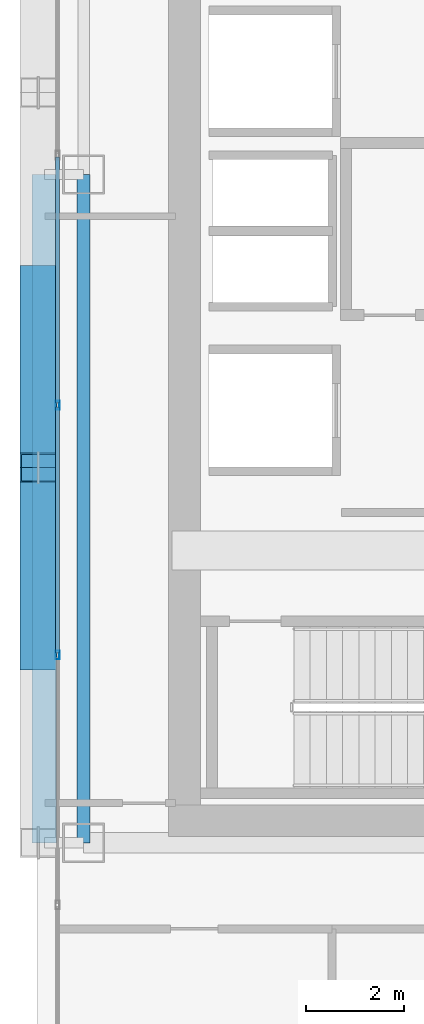
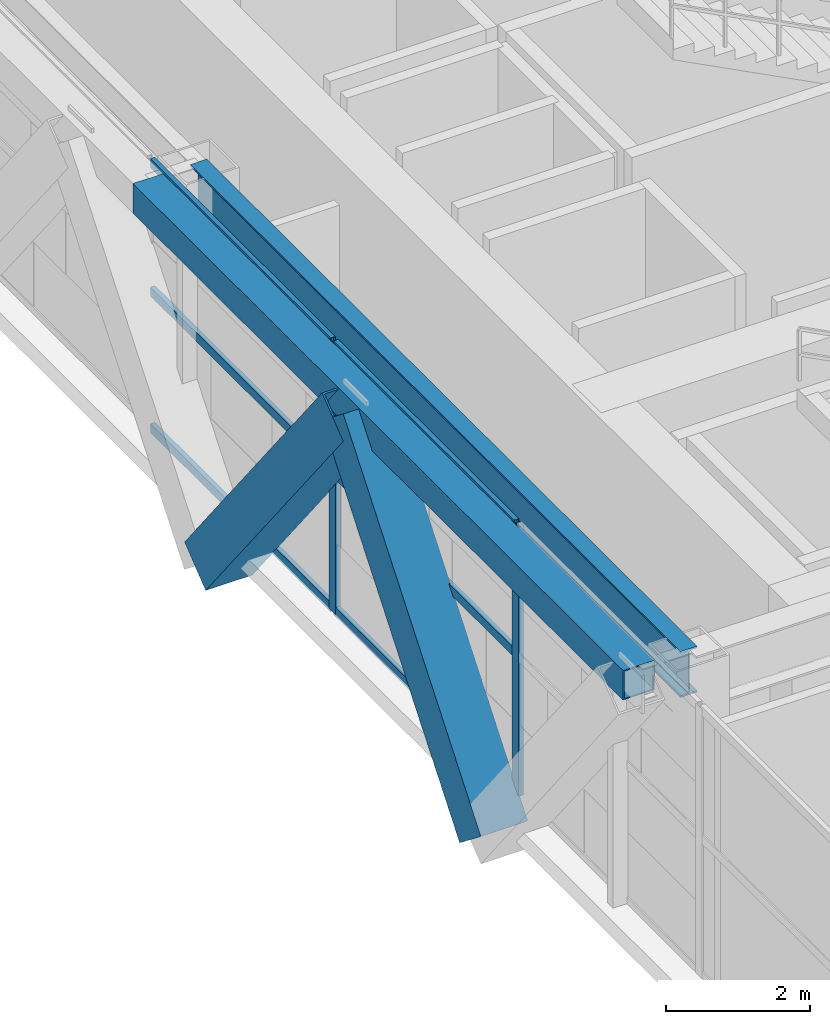
# One storey, part 7 of 38: 10 members, 2 beams, 1 element without a shape of its own.
"""IFC4 building model written with IfcOpenShell, lengths in metres."""

from ifc_helpers import new_model, si_unit, direction, frame, origin, origin_2d, place, context, subcontext, project, spatial, hollow_rectangle, i_section, extrude, source, transform, mapped, material, layer, layer_set, material_profile, profile_set, type_object, element, aggregate, save


model = new_model("IFC4")

# Units and contexts
model_context = context("Model", 3, precision=1e-05, world=origin(), true_north=direction((0.0, 1.0)))
body_context = subcontext(model_context, "Body", "Model", "MODEL_VIEW")
ifc_project = project(units=[si_unit("LENGTHUNIT", "METRE"), si_unit("AREAUNIT", "SQUARE_METRE"), si_unit("VOLUMEUNIT", "CUBIC_METRE"), si_unit("PLANEANGLEUNIT", "RADIAN"), si_unit("MASSUNIT", "GRAM", prefix="KILO")], contexts=[model_context])

# Site, building, storey
site_placement = place(None, origin())
site = spatial("IfcSite", under=ifc_project, at=site_placement, CompositionType="ELEMENT")
building_placement = place(site_placement, origin())
building = spatial("IfcBuilding", under=site, at=building_placement, Name="Ocotamira Hotel", CompositionType="ELEMENT")
storey_placement = place(building_placement, frame((0.0, 0.0, 92.39990234375)))
storey = spatial("IfcBuildingStorey", under=building, at=storey_placement, Name="L22", CompositionType="ELEMENT", Elevation=92.39990234375)

# Beams
ifc_material_1 = material(Name="Steel ASTM A992 Grade 50", Category="steel")
ifc_material_profile_1 = material_profile(ifc_material_1, i_section(OverallWidth=0.26611328125, OverallDepth=0.779052734375, WebThickness=0.0166015625, FlangeThickness=0.030029296875, FilletRadius=0.01806640625, at=origin_2d()), Name="W30X148")
ifc_profile_set_1 = profile_set([ifc_material_profile_1], Name="Steel ASTM A992 Grade 50")
beam_type_1 = type_object("IfcBeamType", Name="BM-GIRD-W30X148", PredefinedType="BEAM", material=ifc_profile_set_1)
shared_shape_1 = source(origin(), body_context, "Body", "SweptSolid", [
    extrude(i_section(OverallWidth=0.26611328125, OverallDepth=0.779052734375, WebThickness=0.0166015625, FlangeThickness=0.030029296875, FilletRadius=0.01806640625, at=origin_2d()), origin(), (0.0, 0.0, 1.0), 13.599853515625),
])
beam_1_placement = place(storey_placement, frame((8.949951171875, 14.550048828125, 4.170654296875), z_axis=(0.0, 1.0, 0.0), x_axis=(-1.0, 0.0, 0.0)))
element("IfcBeam", 1, at=beam_1_placement, inside=storey, type_object=beam_type_1, Name="L22 Beam X8.95 Y14.55-28.15", PredefinedType="BEAM", context=body_context, shape_type="MappedRepresentation", body=[
    mapped(shared_shape_1, transform((0.0, 0.0, 0.0), scale=1.0)),
])
ifc_material_2 = material(Name="Steel ASTM A500 Grade C", Category="steel")
ifc_material_profile_2 = material_profile(ifc_material_2, hollow_rectangle(XDim=0.5, YDim=0.5, WallThickness=0.02001953125, at=origin_2d()), Name="HSS500X500X20")
ifc_profile_set_2 = profile_set([ifc_material_profile_2], Name="Steel ASTM A500 Grade C")
beam_type_2 = type_object("IfcBeamType", Name="BM-SPAN-HSS500", PredefinedType="USERDEFINED", material=ifc_profile_set_2)
shared_shape_2 = source(origin(), body_context, "Body", "SweptSolid", [
    extrude(hollow_rectangle(XDim=0.5, YDim=0.5, WallThickness=0.02001953125, at=origin_2d()), origin(), (0.0, 0.0, 1.0), 13.599853515625),
])
beam_2_placement = place(storey_placement, frame((8.14990234375, 14.550048828125, 4.31005859375), z_axis=(0.0, 1.0, 0.0), x_axis=(-1.0, 0.0, 0.0)))
element("IfcBeam", 2, at=beam_2_placement, inside=storey, type_object=beam_type_2, Name="L22 Edge Spandrel W Y14.55-28.15", ObjectType="SPANDREL", PredefinedType="USERDEFINED", context=body_context, shape_type="MappedRepresentation", body=[
    mapped(shared_shape_2, transform((0.0, 0.0, 0.0), scale=1.0)),
])

# Members
ifc_material_3 = material(Name="Pale-metal coated steel ASTM A913 Grade 65", Category="steel")
ifc_material_profile_3 = material_profile(ifc_material_3, hollow_rectangle(XDim=0.75, YDim=0.75, WallThickness=0.028076171875, at=origin_2d()), Name="BOX750X750X28")
ifc_profile_set_3 = profile_set([ifc_material_profile_3], Name="Pale-metal coated steel ASTM A913 Grade 65")
member_type_1 = type_object("IfcMemberType", Name="MEM-EXO-BOX750", PredefinedType="BRACE", material=ifc_profile_set_3)
shared_shape_3 = source(origin(), body_context, "Body", "SweptSolid", [
    extrude(hollow_rectangle(XDim=0.75, YDim=0.75, WallThickness=0.028076171875, at=origin_2d()), origin(), (0.0, 0.0, 1.0), 6.16357421875),
])
for number, where, z_axis, x_axis, name in (
    (3, (8.030029296875, 18.36669921875, -0.52978515625), (0.0, 0.619216534821, 0.785220276741), (-1.0, 0.0, 0.0), "L22 Exoskeleton Diagrid W0.2"),
    (4, (8.030029296875, 26.0, -0.52978515625), (0.0, -0.619216534821, 0.785220276741), (1.0, 0.0, 0.0), "L22 Exoskeleton Diagrid W1.1"),
):
    element("IfcMember", number, at=place(storey_placement, frame(where, z_axis=z_axis, x_axis=x_axis)), inside=storey, type_object=member_type_1, Name=name, PredefinedType="BRACE", context=body_context, shape_type="MappedRepresentation", body=[
        mapped(shared_shape_3, transform((0.0, 0.0, 0.0), scale=1.0)),
    ])

# Curtain wall, members
ifc_material_4 = material(Name="Anodised pale-metal aluminium and solar glass", Category="aluminium")
ifc_layer = layer(ifc_material_4, 0.239990234375)
ifc_layer_set = layer_set([ifc_layer], Name="Anodised pale-metal aluminium and solar glass")
curtain_wall_type = type_object("IfcCurtainWallType", Name="CW-SYS5-SKY", PredefinedType="NOTDEFINED", material=ifc_layer_set)
curtain_wall_placement = place(storey_placement, origin())
curtain_wall = element("IfcCurtainWall", 5, at=curtain_wall_placement, inside=storey, type_object=curtain_wall_type, Name="L22 Curtain Wall CW-5 CW-L22-W", PredefinedType="NOTDEFINED")
ifc_material_5 = material(Name="Anodised pale-metal aluminium 6063-T6", Category="aluminium")
ifc_material_profile_4 = material_profile(ifc_material_5, hollow_rectangle(XDim=0.074951171875, YDim=0.14990234375, WallThickness=0.006103515625, at=origin_2d()), Name="HSS150X75X6")
ifc_profile_set_4 = profile_set([ifc_material_profile_4], Name="Anodised pale-metal aluminium 6063-T6")
member_type_2 = type_object("IfcMemberType", Name="CWT-150X75", PredefinedType="USERDEFINED", material=ifc_profile_set_4)
shared_shape_4 = source(origin(), body_context, "Body", "SweptSolid", [
    extrude(hollow_rectangle(XDim=0.074951171875, YDim=0.14990234375, WallThickness=0.006103515625, at=origin_2d()), origin(), (0.0, 0.0, 1.0), 5.005859375),
])
member_1_placement = place(storey_placement, frame((8.419921875, 18.411376953125, 0.03759765625), z_axis=(0.0, 1.0, 0.0), x_axis=(-1.0, 0.0, 0.0)))
member_1 = element("IfcMember", 6, at=member_1_placement, type_object=member_type_2, Name="CW-5 transom 3.1", ObjectType="TRANSOM", PredefinedType="USERDEFINED", context=body_context, shape_type="MappedRepresentation", body=[
    mapped(shared_shape_4, transform((0.0, 0.0, 0.0), scale=1.0)),
])
member_2_placement = place(storey_placement, frame((8.419921875, 18.411376953125, 2.35009765625), z_axis=(0.0, 1.0, 0.0), x_axis=(-1.0, 0.0, 0.0)))
member_2 = element("IfcMember", 7, at=member_2_placement, type_object=member_type_2, Name="CW-5 transom 3.2", ObjectType="TRANSOM", PredefinedType="USERDEFINED", context=body_context, shape_type="MappedRepresentation", body=[
    mapped(shared_shape_4, transform((0.0, 0.0, 0.0), scale=1.0)),
])
member_3_placement = place(storey_placement, frame((8.419921875, 18.411376953125, 4.522705078125), z_axis=(0.0, 1.0, 0.0), x_axis=(-1.0, 0.0, 0.0)))
member_3 = element("IfcMember", 8, at=member_3_placement, type_object=member_type_2, Name="CW-5 transom 3.3", ObjectType="TRANSOM", PredefinedType="USERDEFINED", context=body_context, shape_type="MappedRepresentation", body=[
    mapped(shared_shape_4, transform((0.0, 0.0, 0.0), scale=1.0)),
])
member_4_placement = place(storey_placement, frame((8.419921875, 23.4970703125, 0.03759765625), z_axis=(0.0, 1.0, 0.0), x_axis=(-1.0, 0.0, 0.0)))
member_4 = element("IfcMember", 9, at=member_4_placement, type_object=member_type_2, Name="CW-5 transom 4.1", ObjectType="TRANSOM", PredefinedType="USERDEFINED", context=body_context, shape_type="MappedRepresentation", body=[
    mapped(shared_shape_4, transform((0.0, 0.0, 0.0), scale=1.0)),
])
member_5_placement = place(storey_placement, frame((8.419921875, 23.4970703125, 2.35009765625), z_axis=(0.0, 1.0, 0.0), x_axis=(-1.0, 0.0, 0.0)))
member_5 = element("IfcMember", 10, at=member_5_placement, type_object=member_type_2, Name="CW-5 transom 4.2", ObjectType="TRANSOM", PredefinedType="USERDEFINED", context=body_context, shape_type="MappedRepresentation", body=[
    mapped(shared_shape_4, transform((0.0, 0.0, 0.0), scale=1.0)),
])
member_6_placement = place(storey_placement, frame((8.419921875, 23.4970703125, 4.522705078125), z_axis=(0.0, 1.0, 0.0), x_axis=(-1.0, 0.0, 0.0)))
member_6 = element("IfcMember", 11, at=member_6_placement, type_object=member_type_2, Name="CW-5 transom 4.3", ObjectType="TRANSOM", PredefinedType="USERDEFINED", context=body_context, shape_type="MappedRepresentation", body=[
    mapped(shared_shape_4, transform((0.0, 0.0, 0.0), scale=1.0)),
])
ifc_material_profile_5 = material_profile(ifc_material_5, hollow_rectangle(XDim=0.080078125, YDim=0.179931640625, WallThickness=0.006103515625, at=origin_2d()), Name="HSS180X80X6")
ifc_profile_set_5 = profile_set([ifc_material_profile_5], Name="Anodised pale-metal aluminium 6063-T6")
member_type_3 = type_object("IfcMemberType", Name="CWM-180X75", PredefinedType="MULLION", material=ifc_profile_set_5)
shared_shape_5 = source(origin(), body_context, "Body", "SweptSolid", [
    extrude(hollow_rectangle(XDim=0.080078125, YDim=0.179931640625, WallThickness=0.006103515625, at=origin_2d()), origin(), (0.0, 0.0, 1.0), 4.56005859375),
])
member_7_placement = place(storey_placement, frame((8.419921875, 18.371337890625, 0.0), z_axis=(0.0, 0.0, 1.0), x_axis=(-1.0, 0.0, 0.0)))
member_7 = element("IfcMember", 12, at=member_7_placement, type_object=member_type_3, Name="CW-5 mullion 3", PredefinedType="MULLION", context=body_context, shape_type="MappedRepresentation", body=[
    mapped(shared_shape_5, transform((0.0, 0.0, 0.0), scale=1.0)),
])
member_8_placement = place(storey_placement, frame((8.419921875, 23.45703125, 0.0), z_axis=(0.0, 0.0, 1.0), x_axis=(-1.0, 0.0, 0.0)))
member_8 = element("IfcMember", 13, at=member_8_placement, type_object=member_type_3, Name="CW-5 mullion 4", PredefinedType="MULLION", context=body_context, shape_type="MappedRepresentation", body=[
    mapped(shared_shape_5, transform((0.0, 0.0, 0.0), scale=1.0)),
])
aggregate(curtain_wall, [member_7, member_8, member_1, member_2, member_3, member_4, member_5, member_6])

save(model, "model.ifc")
